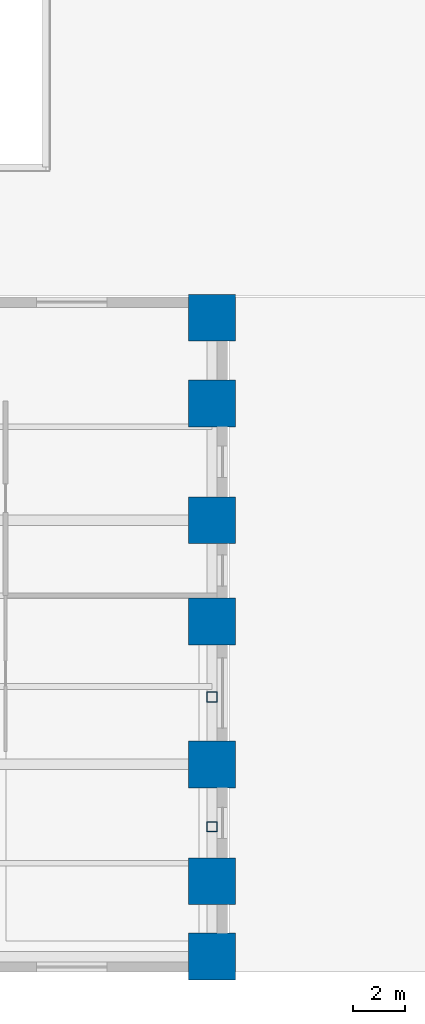
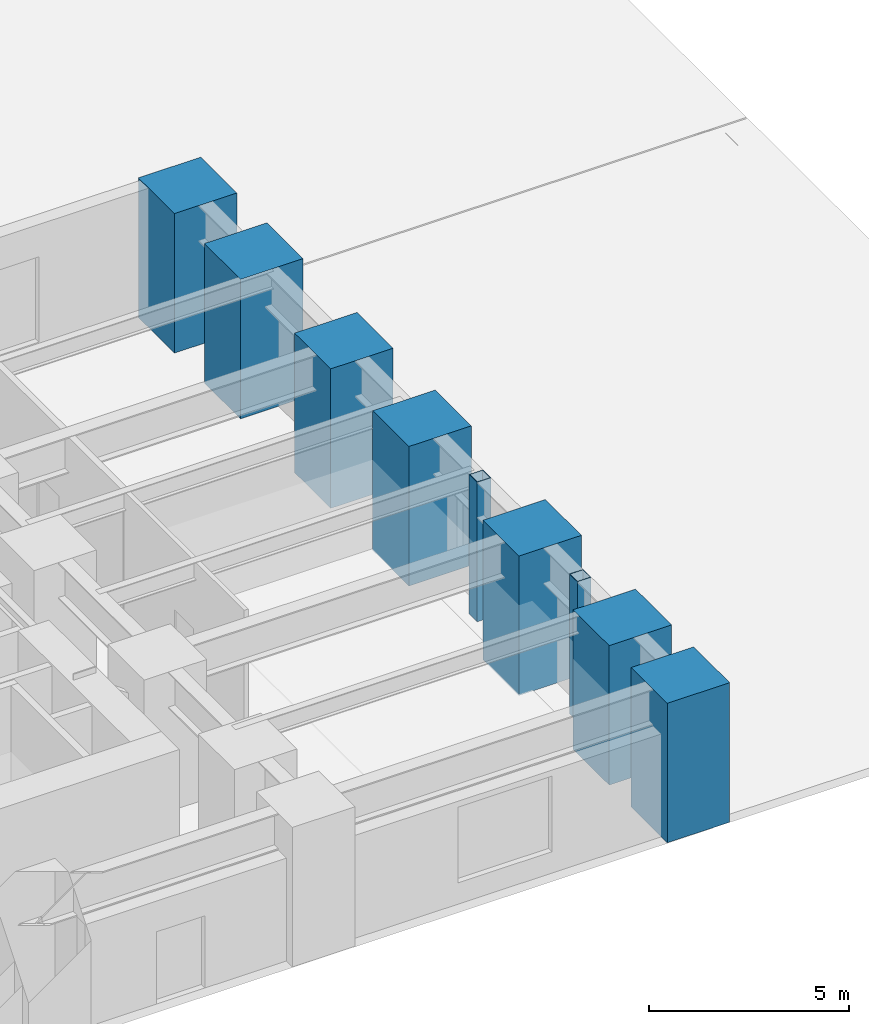
# One storey, part 4 of 23: 9 columns.
"""IFC4 building model written with IfcOpenShell, lengths in metres."""

from ifc_helpers import new_model, si_unit, direction, frame, origin, origin_2d, place, context, subcontext, project, spatial, rectangle, hollow_rectangle, extrude, source, transform, mapped, material, material_profile, profile_set, type_object, element, save


model = new_model("IFC4")

# Units and contexts
model_context = context("Model", 3, precision=1e-05, world=origin(), true_north=direction((0.0, 1.0)))
body_context = subcontext(model_context, "Body", "Model", "MODEL_VIEW")
ifc_project = project(units=[si_unit("LENGTHUNIT", "METRE"), si_unit("AREAUNIT", "SQUARE_METRE"), si_unit("VOLUMEUNIT", "CUBIC_METRE"), si_unit("PLANEANGLEUNIT", "RADIAN"), si_unit("MASSUNIT", "GRAM", prefix="KILO")], contexts=[model_context])

# Site, building, storey
site_placement = place(None, origin())
site = spatial("IfcSite", under=ifc_project, at=site_placement, CompositionType="ELEMENT")
building_placement = place(site_placement, origin())
building = spatial("IfcBuilding", under=site, at=building_placement, Name="Kharzan Plaza Tower", CompositionType="ELEMENT")
storey_placement = place(building_placement, origin())
storey = spatial("IfcBuildingStorey", under=building, at=storey_placement, Name="L00", CompositionType="ELEMENT", Elevation=0.0)

# Columns
ifc_material_1 = material(Name="Concrete C60/75", Category="concrete")
ifc_material_profile_1 = material_profile(ifc_material_1, rectangle(XDim=1.800048828125, YDim=1.800048828125, at=origin_2d()), Name="RC-MC1800x1800")
ifc_profile_set_1 = profile_set([ifc_material_profile_1], Name="Concrete C60/75")
column_type_1 = type_object("IfcColumnType", Name="COL-MC1800", PredefinedType="COLUMN", material=ifc_profile_set_1)
shared_shape_1 = source(origin(), body_context, "Body", "SweptSolid", [
    extrude(rectangle(XDim=1.800048828125, YDim=1.800048828125, at=origin_2d()), origin(), (0.0, 0.0, 1.0), 4.25),
])
for number, where, z_axis, x_axis, name in (
    (1, (58.39990234375, 0.60009765625, 0.0), (0.0, 0.0, 1.0), (1.0, 0.0, 0.0), "L00 Podium Mega-Column MC19"),
    (2, (58.39990234375, 3.5, 0.0), (0.0, 0.0, 1.0), (1.0, 0.0, 0.0), "L00 Podium Mega-Column MC25"),
    (3, (58.39990234375, 8.0, 0.0), (0.0, 0.0, 1.0), (1.0, 0.0, 0.0), "L00 Podium Mega-Column MC26"),
    (4, (58.39990234375, 13.5, 0.0), (0.0, 0.0, 1.0), (1.0, 0.0, 0.0), "L00 Podium Mega-Column MC27"),
    (5, (58.39990234375, 17.39990234375, 0.0), (0.0, 0.0, 1.0), (1.0, 0.0, 0.0), "L00 Podium Mega-Column MC28"),
    (6, (58.39990234375, 21.89990234375, 0.0), (0.0, 0.0, 1.0), (1.0, 0.0, 0.0), "L00 Podium Mega-Column MC29"),
    (7, (58.39990234375, 25.199951171875, 0.0), (0.0, 0.0, 1.0), (1.0, 0.0, 0.0), "L00 Podium Mega-Column MC30"),
):
    element("IfcColumn", number, at=place(storey_placement, frame(where, z_axis=z_axis, x_axis=x_axis)), inside=storey, type_object=column_type_1, Name=name, PredefinedType="COLUMN", context=body_context, shape_type="MappedRepresentation", body=[
        mapped(shared_shape_1, transform((0.0, 0.0, 0.0), x_axis=(1.0, 0.0, 0.0), y_axis=(0.0, 1.0, 0.0), z_axis=(0.0, 0.0, 1.0))),
    ])
ifc_material_2 = material(Name="Steel S355", Category="steel")
ifc_material_profile_2 = material_profile(ifc_material_2, hollow_rectangle(XDim=0.39990234375, YDim=0.39990234375, WallThickness=0.02001953125, at=origin_2d()), Name="SHS400x400x20")
ifc_profile_set_2 = profile_set([ifc_material_profile_2], Name="Steel S355")
column_type_2 = type_object("IfcColumnType", Name="COL-PIL400", PredefinedType="PILASTER", material=ifc_profile_set_2)
shared_shape_2 = source(origin(), body_context, "Body", "SweptSolid", [
    extrude(hollow_rectangle(XDim=0.39990234375, YDim=0.39990234375, WallThickness=0.02001953125, at=origin_2d()), origin(), (0.0, 0.0, 1.0), 4.25),
])
for number, where, z_axis, x_axis, name in (
    (8, (58.39990234375, 5.60009765625, 0.0), (0.0, 0.0, 1.0), (1.0, 0.0, 0.0), "L00 Portal Steel Pilaster 5"),
    (9, (58.39990234375, 10.60009765625, 0.0), (0.0, 0.0, 1.0), (1.0, 0.0, 0.0), "L00 Portal Steel Pilaster 6"),
):
    element("IfcColumn", number, at=place(storey_placement, frame(where, z_axis=z_axis, x_axis=x_axis)), inside=storey, type_object=column_type_2, Name=name, PredefinedType="PILASTER", context=body_context, shape_type="MappedRepresentation", body=[
        mapped(shared_shape_2, transform((0.0, 0.0, 0.0), x_axis=(1.0, 0.0, 0.0), y_axis=(0.0, 1.0, 0.0), z_axis=(0.0, 0.0, 1.0))),
    ])

save(model, "model.ifc")
